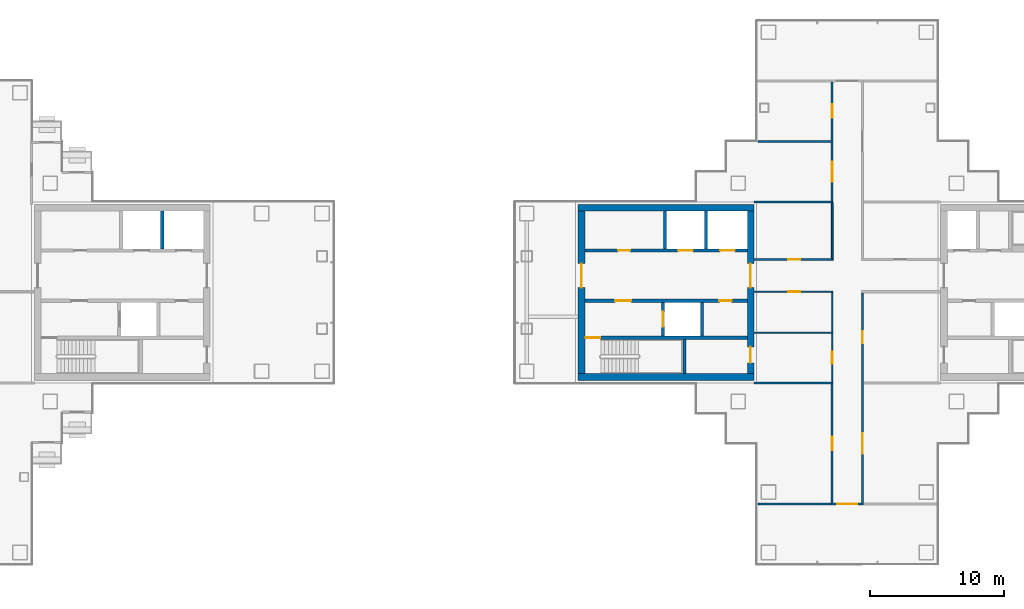
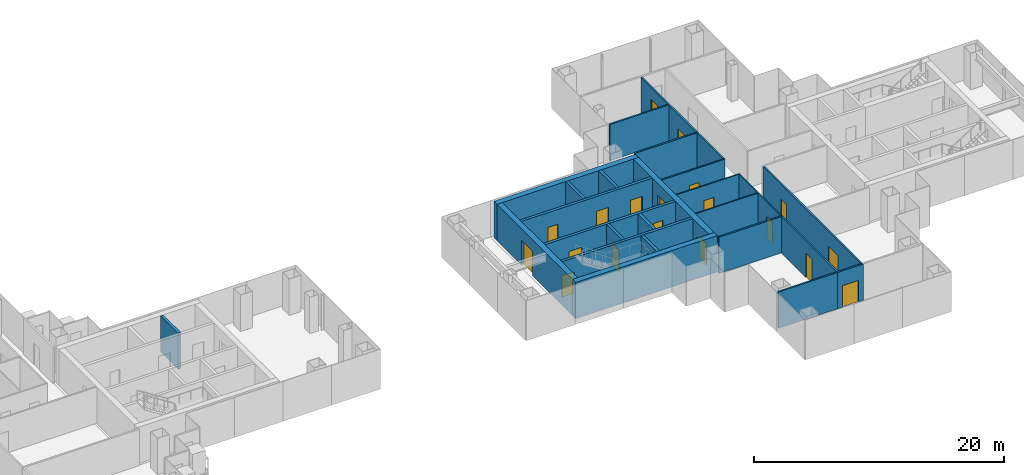
# One storey, part 11 of 16: 26 walls, 19 doors, 19 openings.
"""IFC4 building model written with IfcOpenShell, lengths in metres."""

import ifcopenshell
import ifcopenshell.guid

model = None  # the IFC model being written
_history = None  # IfcOwnerHistory: only IFC2X3 demands one
_inside = {}  # id of a spatial element -> (the spatial element, [elements in it])
_under = {}  # id of a project, library or spatial element -> (it, [spatial elements below it])
_declared = {}  # id of a project -> (the project, [libraries it declares])
_typed = {}  # id of a type object -> (the type object, [elements of that type])
_made_of = {}  # id of a material, layer set ... -> (it, [elements and type objects made of it])


def new_model(schema):
    """Start an empty IFC model of exactly this schema.

    Asked for "IFC4X3", IfcOpenShell would pick the latest addendum, in which some entities
    have other attributes; the version numbers below select the first issue.
    IFC2X3 requires an IfcOwnerHistory on every rooted entity: one is made here for all.
    """
    global model, _history
    if schema == "IFC4X3":
        model = ifcopenshell.file(schema_version=(4, 3, 0, 0))
    else:
        model = ifcopenshell.file(schema=schema)
    _inside.clear()
    _under.clear()
    _declared.clear()
    _typed.clear()
    _made_of.clear()
    _history = None
    if model.schema == "IFC2X3":
        org = make("IfcOrganization", Name="unknown")
        user = make(
            "IfcPersonAndOrganization",
            ThePerson=make("IfcPerson", FamilyName="unknown"),
            TheOrganization=org,
        )
        app = make(
            "IfcApplication",
            ApplicationDeveloper=org,
            Version="unknown",
            ApplicationFullName="unknown",
            ApplicationIdentifier="unknown",
        )
        _history = make(
            "IfcOwnerHistory",
            OwningUser=user,
            OwningApplication=app,
            ChangeAction="ADDED",
            CreationDate=0,
        )
    return model


def make(cls, **values):
    """One entity of the class cls with the attributes given. An attribute that is None is left unset."""
    return model.create_entity(
        cls, **{name: value for name, value in values.items() if value is not None}
    )


def rooted(cls, **values):
    """An entity with a GlobalId (a new one), such as an element, a storey or a relation."""
    return make(cls, GlobalId=ifcopenshell.guid.new(), OwnerHistory=_history, **values)


def si_unit(unit_type, name, prefix=None):
    """IfcSIUnit, for example si_unit("LENGTHUNIT", "METRE", prefix="MILLI")."""
    return make("IfcSIUnit", UnitType=unit_type, Prefix=prefix, Name=name)


def assignment(units):
    """IfcUnitAssignment: the units of a project."""
    return None if units is None else make("IfcUnitAssignment", Units=units)


def point(xyz):
    """IfcCartesianPoint."""
    return None if xyz is None else make("IfcCartesianPoint", Coordinates=xyz)


def direction(xyz):
    """IfcDirection."""
    return None if xyz is None else make("IfcDirection", DirectionRatios=xyz)


def frame(location, z_axis=None, x_axis=None):
    """IfcAxis2Placement3D, a coordinate frame: its origin and axes. An axis left out is left unset."""
    return make(
        "IfcAxis2Placement3D",
        Location=point(location),
        Axis=direction(z_axis),
        RefDirection=direction(x_axis),
    )


def frame_2d(location, x_axis=None):
    """IfcAxis2Placement2D, a coordinate frame in the plane: its origin and x axis."""
    return make(
        "IfcAxis2Placement2D", Location=point(location), RefDirection=direction(x_axis)
    )


def origin():
    """The frame at (0, 0, 0) with its axes left unset."""
    return frame((0.0, 0.0, 0.0))


def place(relative_to, where):
    """IfcLocalPlacement: puts the frame where relative to a parent placement (None: the world)."""
    return make(
        "IfcLocalPlacement", PlacementRelTo=relative_to, RelativePlacement=where
    )


def context(
    kind, dimensions, precision=None, world=None, true_north=None, identifier=None
):
    """IfcGeometricRepresentationContext, for example the 3D "Model" context."""
    return make(
        "IfcGeometricRepresentationContext",
        ContextIdentifier=identifier,
        ContextType=kind,
        CoordinateSpaceDimension=dimensions,
        Precision=precision,
        WorldCoordinateSystem=world,
        TrueNorth=true_north,
    )


def subcontext(parent, identifier, kind, view, scale=None):
    """IfcGeometricRepresentationSubContext, for example "Body" below "Model"."""
    return make(
        "IfcGeometricRepresentationSubContext",
        ContextIdentifier=identifier,
        ContextType=kind,
        ParentContext=parent,
        TargetScale=scale,
        TargetView=view,
    )


def project(units=None, contexts=None):
    """IfcProject with its units and contexts."""
    return rooted(
        "IfcProject",
        Name="project",
        RepresentationContexts=contexts,
        UnitsInContext=assignment(units),
    )


def spatial(cls, under=None, at=None, **own):
    """A site, building, storey or space (cls), placed at a placement, below another one or the project."""
    s = rooted(cls, ObjectPlacement=at, **own)
    if under is not None:
        _under.setdefault(under.id(), (under, []))[1].append(s)
    return s


def profile(cls, at=None, kind="AREA", **sizes):
    """A parametric profile (cls). Its sizes go by their IFC names, for example OverallWidth=200.0."""
    return make(cls, ProfileType=kind, Position=at, **sizes)


def rectangle(**sizes):
    """IfcRectangleProfileDef."""
    return profile("IfcRectangleProfileDef", **sizes)


def extrude(swept, where, along, depth):
    """IfcExtrudedAreaSolid: the profile swept, set in the frame where, extruded along a direction by depth."""
    return make(
        "IfcExtrudedAreaSolid",
        SweptArea=swept,
        Position=where,
        ExtrudedDirection=direction(along),
        Depth=depth,
    )


def shape(context_of_items, identifier, shape_type, items):
    """IfcShapeRepresentation: the items that make up one representation, for example the "Body"."""
    return make(
        "IfcShapeRepresentation",
        ContextOfItems=context_of_items,
        RepresentationIdentifier=identifier,
        RepresentationType=shape_type,
        Items=items,
    )


def material(Name=None, Category=None):
    """IfcMaterial."""
    return make("IfcMaterial", Name=Name, Category=Category)


def layer(
    of_material, thickness, ventilated=None, Name=None, Category=None, Priority=None
):
    """IfcMaterialLayer: one layer of a wall or slab, of a material (None: an air gap)."""
    return make(
        "IfcMaterialLayer",
        Material=of_material,
        LayerThickness=thickness,
        IsVentilated=ventilated,
        Name=Name,
        Category=Category,
        Priority=Priority,
    )


def layer_set(layers, Name=None):
    """IfcMaterialLayerSet."""
    return make("IfcMaterialLayerSet", MaterialLayers=layers, LayerSetName=Name)


def made_of(thing, what):
    """Note that an element or type object is made of a material, layer set ...; save() writes the relation."""
    if what is not None:
        _made_of.setdefault(what.id(), (what, []))[1].append(thing)
    return thing


def type_object(cls, material=None, **own):
    """A type object (cls), such as IfcWallType, which elements share."""
    return made_of(rooted(cls, **own), material)


def element(
    cls,
    number,
    at=None,
    inside=None,
    cuts=None,
    type_object=None,
    material=None,
    context=None,
    identifier="Body",
    shape_type=None,
    held_by="IfcProductDefinitionShape",
    body=None,
    shapes=None,
    **own,
):
    """One element of the class cls, such as IfcWall. Its Tag is "e" and its number.

    at: its placement. inside: the storey or other place that contains it. cuts: it is an
    opening in that element (IfcRelVoidsElement). A single representation is given by context,
    identifier, shape_type and body (its items); several are given by shapes. held_by: the class
    of the entity that holds the representations. save() writes the other relations.
    """
    e = rooted(cls, Tag="e%d" % number, ObjectPlacement=at, **own)
    if body is not None:
        shapes = [shape(context, identifier, shape_type, body)]
    if shapes is not None:
        e.Representation = make(held_by, Representations=shapes)
    if inside is not None:
        _inside.setdefault(inside.id(), (inside, []))[1].append(e)
    if cuts is not None:
        rooted(
            "IfcRelVoidsElement", RelatingBuildingElement=cuts, RelatedOpeningElement=e
        )
    if type_object is not None:
        _typed.setdefault(type_object.id(), (type_object, []))[1].append(e)
    return made_of(e, material)


def fill(opening, filler):
    """IfcRelFillsElement: the door or window that sits in an opening."""
    return rooted(
        "IfcRelFillsElement",
        RelatingOpeningElement=opening,
        RelatedBuildingElement=filler,
    )


def aggregate(whole, parts):
    """IfcRelAggregates: a whole, such as a stair, and the parts it consists of."""
    return rooted("IfcRelAggregates", RelatingObject=whole, RelatedObjects=parts)


def save(model, path):
    """Write the relations noted so far, then the file.

    IfcRelAggregates (storeys below a building ...), IfcRelContainedInSpatialStructure (elements
    in a storey), IfcRelDefinesByType, IfcRelAssociatesMaterial and IfcRelDeclares: one each for
    every whole, place, type object, material and project.
    """
    for whole, parts in _under.values():
        aggregate(whole, parts)
    for where, things in _inside.values():
        rooted(
            "IfcRelContainedInSpatialStructure",
            RelatedElements=things,
            RelatingStructure=where,
        )
    for kind, things in _typed.values():
        rooted("IfcRelDefinesByType", RelatedObjects=things, RelatingType=kind)
    for what, things in _made_of.values():
        rooted("IfcRelAssociatesMaterial", RelatedObjects=things, RelatingMaterial=what)
    for by, libraries in _declared.values():
        rooted("IfcRelDeclares", RelatingContext=by, RelatedDefinitions=libraries)
    model.write(path)


model = new_model("IFC4")

# Units and contexts
model_context = context("Model", 3, precision=1e-05, world=origin(), true_north=direction((0.0, 1.0)))
body_context = subcontext(model_context, "Body", "Model", "MODEL_VIEW")
ifc_project = project(units=[si_unit("LENGTHUNIT", "METRE"), si_unit("AREAUNIT", "SQUARE_METRE"), si_unit("VOLUMEUNIT", "CUBIC_METRE"), si_unit("PLANEANGLEUNIT", "RADIAN"), si_unit("MASSUNIT", "GRAM", prefix="KILO")], contexts=[model_context])

# Site, building, storey
site_placement = place(None, origin())
site = spatial("IfcSite", under=ifc_project, at=site_placement, CompositionType="ELEMENT")
building_placement = place(site_placement, origin())
building = spatial("IfcBuilding", under=site, at=building_placement, Name="Shamsa Quay Exchange Towers", CompositionType="ELEMENT")
storey_placement = place(building_placement, frame((0.0, 0.0, 154.5)))
storey = spatial("IfcBuildingStorey", under=building, at=storey_placement, Name="L36", CompositionType="ELEMENT", Elevation=154.5)

# Walls
ifc_material_1 = material(Name="Concrete C60/75", Category="concrete")
ifc_layer_1 = layer(ifc_material_1, 0.5)
ifc_layer_set_1 = layer_set([ifc_layer_1], Name="CORE WALL 500 C60/75")
wall_type_1 = type_object("IfcWallType", Name="CORE WALL 500 C60/75", PredefinedType="SHEAR", material=ifc_layer_set_1)
for number, where, name in (
    (1, (13.699951171875, -6.300048828125, 0.0), "Core wall T2A-R17-PS"),
    (2, (13.699951171875, 6.300048828125, 0.0), "Core wall T2A-R17-PN"),
):
    element("IfcWall", number, at=place(storey_placement, frame(where)), inside=storey, type_object=wall_type_1, Name=name, PredefinedType="SHEAR", context=body_context, shape_type="SweptSolid", body=[
        extrude(rectangle(XDim=13.10009765625, YDim=0.5, at=frame_2d((6.550048828125, 0.0))), origin(), (0.0, 0.0, 1.0), 3.550048828125),
    ])

# Wall, opening, door
wall_1_placement = place(storey_placement, frame((13.949951171875, 6.050048828125, 0.0), z_axis=(0.0, 0.0, 1.0), x_axis=(0.0, -1.0, 0.0)))
wall_1 = element("IfcWall", 3, at=wall_1_placement, inside=storey, type_object=wall_type_1, Name="Core wall T2A-R17-PF", PredefinedType="SHEAR", context=body_context, shape_type="SweptSolid", body=[
    extrude(rectangle(XDim=12.10009765625, YDim=0.5, at=frame_2d((6.050048828125, 0.0))), origin(), (0.0, 0.0, 1.0), 3.550048828125),
])
opening_1_placement = place(wall_1_placement, frame((3.89990234375, 0.0, 0.0)))
opening_1 = element("IfcOpeningElement", 4, at=opening_1_placement, cuts=wall_1, Name="Opening T2A-R17-LBD01", PredefinedType="OPENING", context=body_context, shape_type="SweptSolid", body=[
    extrude(rectangle(XDim=1.800048828125, YDim=2.39990234375, at=frame_2d((0.89990234375, 1.199951171875))), frame((0.0, 0.260009765625, 0.0), z_axis=(0.0, -1.0, 0.0), x_axis=(1.0, 0.0, 0.0)), (0.0, 0.0, 1.0), 0.52001953125),
])
ifc_material_2 = material(Name="Steel, fire rated", Category="steel")
door_type_1 = type_object("IfcDoorType", Name="LIFT LOBBY DOOR PAIR 1800", OperationType="DOUBLE_DOOR_SINGLE_SWING", PredefinedType="DOOR", material=ifc_material_2)
door_1_placement = place(opening_1_placement, origin())
door_1 = element("IfcDoor", 5, at=door_1_placement, inside=storey, type_object=door_type_1, Name="T2A-R17-LBD01", OperationType="DOUBLE_DOOR_SINGLE_SWING", OverallHeight=2.39990234375, OverallWidth=1.800048828125, PredefinedType="DOOR", context=body_context, shape_type="SweptSolid", body=[
    extrude(rectangle(XDim=1.800048828125, YDim=2.39990234375, at=frame_2d((0.89990234375, 1.199951171875))), frame((0.0, 0.02490234375, 0.0), z_axis=(0.0, -1.0, 0.0), x_axis=(1.0, 0.0, 0.0)), (0.0, 0.0, 1.0), 0.050048828125),
])
fill(opening_1, door_1)

# Wall, openings, doors
wall_2_placement = place(storey_placement, frame((26.550048828125, 6.050048828125, 0.0), z_axis=(0.0, 0.0, 1.0), x_axis=(0.0, -1.0, 0.0)))
wall_2 = element("IfcWall", 6, at=wall_2_placement, inside=storey, type_object=wall_type_1, Name="Core wall T2A-R17-PB", PredefinedType="SHEAR", context=body_context, shape_type="SweptSolid", body=[
    extrude(rectangle(XDim=12.10009765625, YDim=0.5, at=frame_2d((6.050048828125, 0.0))), origin(), (0.0, 0.0, 1.0), 3.550048828125),
])
opening_2_placement = place(wall_2_placement, frame((10.10009765625, 0.0, 0.0)))
opening_2 = element("IfcOpeningElement", 7, at=opening_2_placement, cuts=wall_2, Name="Opening T2A-R17-RD02", PredefinedType="OPENING", context=body_context, shape_type="SweptSolid", body=[
    extrude(rectangle(XDim=1.199951171875, YDim=2.10009765625, at=frame_2d((0.60009765625, 1.050048828125))), frame((0.0, 0.260009765625, 0.0), z_axis=(0.0, -1.0, 0.0), x_axis=(1.0, 0.0, 0.0)), (0.0, 0.0, 1.0), 0.52001953125),
])
opening_3_placement = place(wall_2_placement, frame((3.89990234375, 0.0, 0.0)))
opening_3 = element("IfcOpeningElement", 8, at=opening_3_placement, cuts=wall_2, Name="Opening T2A-R17-LBD03", PredefinedType="OPENING", context=body_context, shape_type="SweptSolid", body=[
    extrude(rectangle(XDim=1.800048828125, YDim=2.39990234375, at=frame_2d((0.89990234375, 1.199951171875))), frame((0.0, 0.260009765625, 0.0), z_axis=(0.0, -1.0, 0.0), x_axis=(1.0, 0.0, 0.0)), (0.0, 0.0, 1.0), 0.52001953125),
])
door_2_placement = place(opening_3_placement, origin())
door_2 = element("IfcDoor", 9, at=door_2_placement, inside=storey, type_object=door_type_1, Name="T2A-R17-LBD03", OperationType="DOUBLE_DOOR_SINGLE_SWING", OverallHeight=2.39990234375, OverallWidth=1.800048828125, PredefinedType="DOOR", context=body_context, shape_type="SweptSolid", body=[
    extrude(rectangle(XDim=1.800048828125, YDim=2.39990234375, at=frame_2d((0.89990234375, 1.199951171875))), frame((0.0, 0.02490234375, 0.0), z_axis=(0.0, -1.0, 0.0), x_axis=(1.0, 0.0, 0.0)), (0.0, 0.0, 1.0), 0.050048828125),
])
fill(opening_3, door_2)
door_type_2 = type_object("IfcDoorType", Name="RISER ACCESS DOOR 1200", OperationType="SINGLE_SWING_LEFT", PredefinedType="DOOR", material=ifc_material_2)
door_3_placement = place(opening_2_placement, origin())
door_3 = element("IfcDoor", 10, at=door_3_placement, inside=storey, type_object=door_type_2, Name="T2A-R17-RD02", OperationType="SINGLE_SWING_RIGHT", OverallHeight=2.10009765625, OverallWidth=1.199951171875, PredefinedType="DOOR", context=body_context, shape_type="SweptSolid", body=[
    extrude(rectangle(XDim=1.199951171875, YDim=2.10009765625, at=frame_2d((0.60009765625, 1.050048828125))), frame((0.0, 0.02490234375, 0.0), z_axis=(0.0, -1.0, 0.0), x_axis=(1.0, 0.0, 0.0)), (0.0, 0.0, 1.0), 0.050048828125),
])
fill(opening_2, door_3)

# Wall
ifc_material_3 = material(Name="Laminated fire-resisting glass in a metal frame", Category="glass")
ifc_layer_2 = layer(ifc_material_3, 0.125)
ifc_layer_set_2 = layer_set([ifc_layer_2], Name="Glazed partition 125 mm EI 60")
wall_type_2 = type_object("IfcWallType", Name="Glazed partition 125 mm EI 60", PredefinedType="PARTITIONING", material=ifc_layer_set_2)
wall_3_placement = place(storey_placement, frame((32.625, 2.5126953125, 0.0), z_axis=(0.0, 0.0, 1.0), x_axis=(0.0, 1.0, 0.0)))
element("IfcWall", 11, at=wall_3_placement, inside=storey, type_object=wall_type_2, Name="Partition T2-R17-W01", PredefinedType="PARTITIONING", context=body_context, shape_type="SweptSolid", body=[
    extrude(rectangle(XDim=4.162353515625, YDim=0.125, at=frame_2d((2.0810546875, 0.0))), origin(), (0.0, 0.0, 1.0), 3.550048828125),
])

# Wall, opening, door
wall_4_placement = place(storey_placement, frame((26.800048828125, 2.4501953125, 0.0)))
wall_4 = element("IfcWall", 12, at=wall_4_placement, inside=storey, type_object=wall_type_2, Name="Partition T2-R17-W02", PredefinedType="PARTITIONING", context=body_context, shape_type="SweptSolid", body=[
    extrude(rectangle(XDim=5.887451171875, YDim=0.125, at=frame_2d((2.94384765625, 0.0))), origin(), (0.0, 0.0, 1.0), 3.550048828125),
])
opening_4_placement = place(wall_4_placement, frame((2.5625, 0.0, 0.0)))
opening_4 = element("IfcOpeningElement", 13, at=opening_4_placement, cuts=wall_4, Name="Opening T2-R17-D09", PredefinedType="OPENING", context=body_context, shape_type="SweptSolid", body=[
    extrude(rectangle(XDim=0.89990234375, YDim=2.10009765625, at=frame_2d((0.449951171875, 1.050048828125))), frame((0.0, 0.072509765625, 0.0), z_axis=(0.0, -1.0, 0.0), x_axis=(1.0, 0.0, 0.0)), (0.0, 0.0, 1.0), 0.14501953125),
])
ifc_material_4 = material(Name="Timber door leaf in a metal frame", Category="wood")
door_type_3 = type_object("IfcDoorType", Name="Door 900x2100 FD30S", OperationType="NOTDEFINED", PredefinedType="DOOR", material=ifc_material_4)
door_4_placement = place(opening_4_placement, origin())
door_4 = element("IfcDoor", 14, at=door_4_placement, inside=storey, type_object=door_type_3, Name="Door T2-R17-D09", OperationType="SINGLE_SWING_LEFT", OverallHeight=2.10009765625, OverallWidth=0.89990234375, PredefinedType="DOOR", context=body_context, shape_type="SweptSolid", body=[
    extrude(rectangle(XDim=0.89990234375, YDim=2.10009765625, at=frame_2d((0.449951171875, 1.050048828125))), frame((0.0, 0.02490234375, 0.0), z_axis=(0.0, -1.0, 0.0), x_axis=(1.0, 0.0, 0.0)), (0.0, 0.0, 1.0), 0.050048828125),
])
fill(opening_4, door_4)

ifc_material_5 = material(Name="Gypsum board partition on metal studs")
ifc_layer_3 = layer(ifc_material_5, 0.10009765625)
ifc_layer_set_3 = layer_set([ifc_layer_3], Name="Partition 100 mm NOT RATED")
wall_type_3 = type_object("IfcWallType", Name="Partition 100 mm NOT RATED", PredefinedType="PARTITIONING", material=ifc_layer_set_3)
wall_5_placement = place(storey_placement, frame((32.625, -6.675048828125, 0.0), z_axis=(0.0, 0.0, 1.0), x_axis=(0.0, 1.0, 0.0)))
wall_5 = element("IfcWall", 15, at=wall_5_placement, inside=storey, type_object=wall_type_3, Name="Partition T2-R17-W03", PredefinedType="PARTITIONING", context=body_context, shape_type="SweptSolid", body=[
    extrude(rectangle(XDim=6.6748046875, YDim=0.10009765625, at=frame_2d((3.33740234375, 0.0))), origin(), (0.0, 0.0, 1.0), 3.550048828125),
])
opening_5_placement = place(wall_5_placement, frame((1.35009765625, 0.0, 0.0)))
opening_5 = element("IfcOpeningElement", 16, at=opening_5_placement, cuts=wall_5, Name="Opening T2-R17-D08", PredefinedType="OPENING", context=body_context, shape_type="SweptSolid", body=[
    extrude(rectangle(XDim=0.89990234375, YDim=2.10009765625, at=frame_2d((0.449951171875, 1.050048828125))), frame((0.0, 0.06005859375, 0.0), z_axis=(0.0, -1.0, 0.0), x_axis=(1.0, 0.0, 0.0)), (0.0, 0.0, 1.0), 0.1201171875),
])
door_type_4 = type_object("IfcDoorType", Name="Door 900x2100 NOT RATED", OperationType="NOTDEFINED", PredefinedType="DOOR", material=ifc_material_4)
door_5_placement = place(opening_5_placement, origin())
door_5 = element("IfcDoor", 17, at=door_5_placement, inside=storey, type_object=door_type_4, Name="Door T2-R17-D08", OperationType="SINGLE_SWING_LEFT", OverallHeight=2.10009765625, OverallWidth=0.89990234375, PredefinedType="DOOR", context=body_context, shape_type="SweptSolid", body=[
    extrude(rectangle(XDim=0.89990234375, YDim=2.10009765625, at=frame_2d((0.449951171875, 1.050048828125))), frame((0.0, 0.02490234375, 0.0), z_axis=(0.0, -1.0, 0.0), x_axis=(1.0, 0.0, 0.0)), (0.0, 0.0, 1.0), 0.050048828125),
])
fill(opening_5, door_5)

wall_6_placement = place(storey_placement, frame((32.675048828125, 0.0498046875, 0.0), z_axis=(0.0, 0.0, 1.0), x_axis=(-1.0, 0.0, 0.0)))
wall_6 = element("IfcWall", 18, at=wall_6_placement, inside=storey, type_object=wall_type_3, Name="Partition T2-R17-W04", PredefinedType="PARTITIONING", context=body_context, shape_type="SweptSolid", body=[
    extrude(rectangle(XDim=5.875, YDim=0.10009765625, at=frame_2d((2.9375, 0.0))), origin(), (0.0, 0.0, 1.0), 3.550048828125),
])
opening_6_placement = place(wall_6_placement, frame((2.41259765625, 0.0, 0.0)))
opening_6 = element("IfcOpeningElement", 19, at=opening_6_placement, cuts=wall_6, Name="Opening T2-R17-D12", PredefinedType="OPENING", context=body_context, shape_type="SweptSolid", body=[
    extrude(rectangle(XDim=0.89990234375, YDim=2.10009765625, at=frame_2d((0.449951171875, 1.050048828125))), frame((0.0, 0.06005859375, 0.0), z_axis=(0.0, -1.0, 0.0), x_axis=(1.0, 0.0, 0.0)), (0.0, 0.0, 1.0), 0.1201171875),
])
door_6_placement = place(opening_6_placement, origin())
door_6 = element("IfcDoor", 20, at=door_6_placement, inside=storey, type_object=door_type_4, Name="Door T2-R17-D12", OperationType="SINGLE_SWING_RIGHT", OverallHeight=2.10009765625, OverallWidth=0.89990234375, PredefinedType="DOOR", context=body_context, shape_type="SweptSolid", body=[
    extrude(rectangle(XDim=0.89990234375, YDim=2.10009765625, at=frame_2d((0.449951171875, 1.050048828125))), frame((0.0, 0.02490234375, 0.0), z_axis=(0.0, -1.0, 0.0), x_axis=(1.0, 0.0, 0.0)), (0.0, 0.0, 1.0), 0.050048828125),
])
fill(opening_6, door_6)

# Wall
wall_7_placement = place(storey_placement, frame((32.574951171875, -3.0, 0.0), z_axis=(0.0, 0.0, 1.0), x_axis=(-1.0, 0.0, 0.0)))
element("IfcWall", 21, at=wall_7_placement, inside=storey, type_object=wall_type_3, Name="Partition T2-R17-W15", PredefinedType="PARTITIONING", context=body_context, shape_type="SweptSolid", body=[
    extrude(rectangle(XDim=5.77490234375, YDim=0.10009765625, at=frame_2d((2.887451171875, 0.0))), origin(), (0.0, 0.0, 1.0), 3.550048828125),
])

# Wall, openings, doors
ifc_layer_4 = layer(ifc_material_5, 0.14990234375)
ifc_layer_set_4 = layer_set([ifc_layer_4], Name="Partition 150 mm EI 60")
wall_type_4 = type_object("IfcWallType", Name="Partition 150 mm EI 60", PredefinedType="PARTITIONING", material=ifc_layer_set_4)
wall_8_placement = place(storey_placement, frame((34.875, -0.025146484375, 0.0), z_axis=(0.0, 0.0, 1.0), x_axis=(0.0, -1.0, 0.0)))
wall_8 = element("IfcWall", 22, at=wall_8_placement, inside=storey, type_object=wall_type_4, Name="Partition T2-R17-W06", PredefinedType="PARTITIONING", context=body_context, shape_type="SweptSolid", body=[
    extrude(rectangle(XDim=15.64990234375, YDim=0.14990234375, at=frame_2d((7.824951171875, 0.0))), origin(), (0.0, 0.0, 1.0), 3.550048828125),
])
opening_7_placement = place(wall_8_placement, frame((10.474853515625, 0.0, 0.0)))
opening_7 = element("IfcOpeningElement", 23, at=opening_7_placement, cuts=wall_8, Name="Opening T2-R17-D02", PredefinedType="OPENING", context=body_context, shape_type="SweptSolid", body=[
    extrude(rectangle(XDim=1.5, YDim=2.10009765625, at=frame_2d((0.75, 1.050048828125))), frame((0.0, 0.0849609375, 0.0), z_axis=(0.0, -1.0, 0.0), x_axis=(1.0, 0.0, 0.0)), (0.0, 0.0, 1.0), 0.169921875),
])
opening_8_placement = place(wall_8_placement, frame((2.875, 0.0, 0.0)))
opening_8 = element("IfcOpeningElement", 24, at=opening_8_placement, cuts=wall_8, Name="Opening T2-R17-D03", PredefinedType="OPENING", context=body_context, shape_type="SweptSolid", body=[
    extrude(rectangle(XDim=0.89990234375, YDim=2.10009765625, at=frame_2d((0.449951171875, 1.050048828125))), frame((0.0, 0.0849609375, 0.0), z_axis=(0.0, -1.0, 0.0), x_axis=(1.0, 0.0, 0.0)), (0.0, 0.0, 1.0), 0.169921875),
])
door_type_5 = type_object("IfcDoorType", Name="Door 1500x2100 FD30S pair", OperationType="NOTDEFINED", PredefinedType="DOOR", material=ifc_material_4)
door_7_placement = place(opening_7_placement, origin())
door_7 = element("IfcDoor", 25, at=door_7_placement, inside=storey, type_object=door_type_5, Name="Door T2-R17-D02", OperationType="DOUBLE_DOOR_SINGLE_SWING", OverallHeight=2.10009765625, OverallWidth=1.5, PredefinedType="DOOR", context=body_context, shape_type="SweptSolid", body=[
    extrude(rectangle(XDim=1.5, YDim=2.10009765625, at=frame_2d((0.75, 1.050048828125))), frame((0.0, 0.02490234375, 0.0), z_axis=(0.0, -1.0, 0.0), x_axis=(1.0, 0.0, 0.0)), (0.0, 0.0, 1.0), 0.050048828125),
])
fill(opening_7, door_7)
door_8_placement = place(opening_8_placement, origin())
door_8 = element("IfcDoor", 26, at=door_8_placement, inside=storey, type_object=door_type_3, Name="Door T2-R17-D03", OperationType="SINGLE_SWING_RIGHT", OverallHeight=2.10009765625, OverallWidth=0.89990234375, PredefinedType="DOOR", context=body_context, shape_type="SweptSolid", body=[
    extrude(rectangle(XDim=0.89990234375, YDim=2.10009765625, at=frame_2d((0.449951171875, 1.050048828125))), frame((0.0, 0.02490234375, 0.0), z_axis=(0.0, -1.0, 0.0), x_axis=(1.0, 0.0, 0.0)), (0.0, 0.0, 1.0), 0.050048828125),
])
fill(opening_8, door_8)

wall_9_placement = place(storey_placement, frame((32.625, 6.824951171875, 0.0), z_axis=(0.0, 0.0, 1.0), x_axis=(0.0, 1.0, 0.0)))
wall_9 = element("IfcWall", 27, at=wall_9_placement, inside=storey, type_object=wall_type_4, Name="Partition T2-R17-W09", PredefinedType="PARTITIONING", context=body_context, shape_type="SweptSolid", body=[
    extrude(rectangle(XDim=8.85009765625, YDim=0.14990234375, at=frame_2d((4.425048828125, 0.0))), origin(), (0.0, 0.0, 1.0), 3.550048828125),
])
opening_9_placement = place(wall_9_placement, frame((6.175048828125, 0.0, 0.0)))
opening_9 = element("IfcOpeningElement", 28, at=opening_9_placement, cuts=wall_9, Name="Opening T2-R17-D10", PredefinedType="OPENING", context=body_context, shape_type="SweptSolid", body=[
    extrude(rectangle(XDim=1.0, YDim=2.39990234375, at=frame_2d((0.5, 1.199951171875))), frame((0.0, 0.0849609375, 0.0), z_axis=(0.0, -1.0, 0.0), x_axis=(1.0, 0.0, 0.0)), (0.0, 0.0, 1.0), 0.169921875),
])
opening_10_placement = place(wall_9_placement, frame((1.425048828125, 0.0, 0.0)))
opening_10 = element("IfcOpeningElement", 29, at=opening_10_placement, cuts=wall_9, Name="Opening T2-R17-D11", PredefinedType="OPENING", context=body_context, shape_type="SweptSolid", body=[
    extrude(rectangle(XDim=1.5, YDim=2.10009765625, at=frame_2d((0.75, 1.050048828125))), frame((0.0, 0.0849609375, 0.0), z_axis=(0.0, -1.0, 0.0), x_axis=(1.0, 0.0, 0.0)), (0.0, 0.0, 1.0), 0.169921875),
])
door_type_6 = type_object("IfcDoorType", Name="Door 1000x2400 FD30S", OperationType="NOTDEFINED", PredefinedType="DOOR", material=ifc_material_4)
door_9_placement = place(opening_9_placement, origin())
door_9 = element("IfcDoor", 30, at=door_9_placement, inside=storey, type_object=door_type_6, Name="Door T2-R17-D10", OperationType="SINGLE_SWING_LEFT", OverallHeight=2.39990234375, OverallWidth=1.0, PredefinedType="DOOR", context=body_context, shape_type="SweptSolid", body=[
    extrude(rectangle(XDim=1.0, YDim=2.39990234375, at=frame_2d((0.5, 1.199951171875))), frame((0.0, 0.02490234375, 0.0), z_axis=(0.0, -1.0, 0.0), x_axis=(1.0, 0.0, 0.0)), (0.0, 0.0, 1.0), 0.050048828125),
])
fill(opening_9, door_9)
door_10_placement = place(opening_10_placement, origin())
door_10 = element("IfcDoor", 31, at=door_10_placement, inside=storey, type_object=door_type_5, Name="Door T2-R17-D11", OperationType="DOUBLE_DOOR_SINGLE_SWING", OverallHeight=2.10009765625, OverallWidth=1.5, PredefinedType="DOOR", context=body_context, shape_type="SweptSolid", body=[
    extrude(rectangle(XDim=1.5, YDim=2.10009765625, at=frame_2d((0.75, 1.050048828125))), frame((0.0, 0.02490234375, 0.0), z_axis=(0.0, -1.0, 0.0), x_axis=(1.0, 0.0, 0.0)), (0.0, 0.0, 1.0), 0.050048828125),
])
fill(opening_10, door_10)

# Wall, opening, door
wall_10_placement = place(storey_placement, frame((32.625, -15.675048828125, 0.0), z_axis=(0.0, 0.0, 1.0), x_axis=(0.0, 1.0, 0.0)))
wall_10 = element("IfcWall", 32, at=wall_10_placement, inside=storey, type_object=wall_type_4, Name="Partition T2-R17-W10", PredefinedType="PARTITIONING", context=body_context, shape_type="SweptSolid", body=[
    extrude(rectangle(XDim=8.85009765625, YDim=0.14990234375, at=frame_2d((4.425048828125, 0.0))), origin(), (0.0, 0.0, 1.0), 3.550048828125),
])
opening_11_placement = place(wall_10_placement, frame((3.925048828125, 0.0, 0.0)))
opening_11 = element("IfcOpeningElement", 33, at=opening_11_placement, cuts=wall_10, Name="Opening T2-R17-D07", PredefinedType="OPENING", context=body_context, shape_type="SweptSolid", body=[
    extrude(rectangle(XDim=1.0, YDim=2.39990234375, at=frame_2d((0.5, 1.199951171875))), frame((0.0, 0.0849609375, 0.0), z_axis=(0.0, -1.0, 0.0), x_axis=(1.0, 0.0, 0.0)), (0.0, 0.0, 1.0), 0.169921875),
])
door_11_placement = place(opening_11_placement, origin())
door_11 = element("IfcDoor", 34, at=door_11_placement, inside=storey, type_object=door_type_6, Name="Door T2-R17-D07", OperationType="SINGLE_SWING_LEFT", OverallHeight=2.39990234375, OverallWidth=1.0, PredefinedType="DOOR", context=body_context, shape_type="SweptSolid", body=[
    extrude(rectangle(XDim=1.0, YDim=2.39990234375, at=frame_2d((0.5, 1.199951171875))), frame((0.0, 0.02490234375, 0.0), z_axis=(0.0, -1.0, 0.0), x_axis=(1.0, 0.0, 0.0)), (0.0, 0.0, 1.0), 0.050048828125),
])
fill(opening_11, door_11)

wall_11_placement = place(storey_placement, frame((34.949951171875, -15.75, 0.0), z_axis=(0.0, 0.0, 1.0), x_axis=(-1.0, 0.0, 0.0)))
wall_11 = element("IfcWall", 35, at=wall_11_placement, inside=storey, type_object=wall_type_4, Name="Partition T2-R17-W12", PredefinedType="PARTITIONING", context=body_context, shape_type="SweptSolid", body=[
    extrude(rectangle(XDim=2.39990234375, YDim=0.14990234375, at=frame_2d((1.199951171875, 0.0))), origin(), (0.0, 0.0, 1.0), 3.550048828125),
])
opening_12_placement = place(wall_11_placement, frame((0.449951171875, 0.0, 0.0)))
opening_12 = element("IfcOpeningElement", 36, at=opening_12_placement, cuts=wall_11, Name="Opening T2-R17-D06", PredefinedType="OPENING", context=body_context, shape_type="SweptSolid", body=[
    extrude(rectangle(XDim=1.5, YDim=2.10009765625, at=frame_2d((0.75, 1.050048828125))), frame((0.0, 0.0849609375, 0.0), z_axis=(0.0, -1.0, 0.0), x_axis=(1.0, 0.0, 0.0)), (0.0, 0.0, 1.0), 0.169921875),
])
door_12_placement = place(opening_12_placement, origin())
door_12 = element("IfcDoor", 37, at=door_12_placement, inside=storey, type_object=door_type_5, Name="Door T2-R17-D06", OperationType="DOUBLE_DOOR_SINGLE_SWING", OverallHeight=2.10009765625, OverallWidth=1.5, PredefinedType="DOOR", context=body_context, shape_type="SweptSolid", body=[
    extrude(rectangle(XDim=1.5, YDim=2.10009765625, at=frame_2d((0.75, 1.050048828125))), frame((0.0, 0.02490234375, 0.0), z_axis=(0.0, -1.0, 0.0), x_axis=(1.0, 0.0, 0.0)), (0.0, 0.0, 1.0), 0.050048828125),
])
fill(opening_12, door_12)

# Walls
wall_12_placement = place(storey_placement, frame((32.699951171875, 6.75, 0.0), z_axis=(0.0, 0.0, 1.0), x_axis=(-1.0, 0.0, 0.0)))
element("IfcWall", 38, at=wall_12_placement, inside=storey, type_object=wall_type_4, Name="Partition T2-R17-W13", PredefinedType="PARTITIONING", context=body_context, shape_type="SweptSolid", body=[
    extrude(rectangle(XDim=5.89990234375, YDim=0.14990234375, at=frame_2d((2.949951171875, 0.0))), origin(), (0.0, 0.0, 1.0), 3.550048828125),
])
wall_13_placement = place(storey_placement, frame((26.800048828125, -6.75, 0.0)))
element("IfcWall", 39, at=wall_13_placement, inside=storey, type_object=wall_type_4, Name="Partition T2-R17-W17", PredefinedType="PARTITIONING", context=body_context, shape_type="SweptSolid", body=[
    extrude(rectangle(XDim=5.89990234375, YDim=0.14990234375, at=frame_2d((2.949951171875, 0.0))), origin(), (0.0, 0.0, 1.0), 3.550048828125),
])
wall_14_placement = place(storey_placement, frame((32.550048828125, 11.25, 0.0), z_axis=(0.0, 0.0, 1.0), x_axis=(-1.0, 0.0, 0.0)))
element("IfcWall", 40, at=wall_14_placement, inside=storey, type_object=wall_type_4, Name="Partition T2-R17-W18", PredefinedType="PARTITIONING", context=body_context, shape_type="SweptSolid", body=[
    extrude(rectangle(XDim=5.455078125, YDim=0.14990234375, at=frame_2d((2.7275390625, 0.0))), origin(), (0.0, 0.0, 1.0), 3.550048828125),
])
wall_15_placement = place(storey_placement, frame((27.094970703125, -15.75, 0.0)))
element("IfcWall", 41, at=wall_15_placement, inside=storey, type_object=wall_type_4, Name="Partition T2-R17-W22", PredefinedType="PARTITIONING", context=body_context, shape_type="SweptSolid", body=[
    extrude(rectangle(XDim=5.60498046875, YDim=0.14990234375, at=frame_2d((2.802490234375, 0.0))), origin(), (0.0, 0.0, 1.0), 3.550048828125),
])
ifc_material_6 = material(Name="Concrete C50/60", Category="concrete")
ifc_layer_5 = layer(ifc_material_6, 0.25)
ifc_layer_set_5 = layer_set([ifc_layer_5], Name="SHAFT WALL 250 C50/60")
wall_type_5 = type_object("IfcWallType", Name="SHAFT WALL 250 C50/60", PredefinedType="SHEAR", material=ifc_layer_set_5)
wall_16_placement = place(storey_placement, frame((-17.27490234375, 3.25, 0.0), z_axis=(0.0, 0.0, 1.0), x_axis=(0.0, 1.0, 0.0)))
element("IfcWall", 42, at=wall_16_placement, inside=storey, type_object=wall_type_5, Name="Shaft wall T1A-R17-D2", PredefinedType="SHEAR", context=body_context, shape_type="SweptSolid", body=[
    extrude(rectangle(XDim=2.800048828125, YDim=0.25, at=frame_2d((1.39990234375, 0.0))), origin(), (0.0, 0.0, 1.0), 3.550048828125),
])

# Wall, opening, door
wall_17_placement = place(storey_placement, frame((26.300048828125, -3.375, 0.0), z_axis=(0.0, 0.0, 1.0), x_axis=(-1.0, 0.0, 0.0)))
wall_17 = element("IfcWall", 43, at=wall_17_placement, inside=storey, type_object=wall_type_5, Name="Shaft wall T2A-R17-STL", PredefinedType="SHEAR", context=body_context, shape_type="SweptSolid", body=[
    extrude(rectangle(XDim=12.10009765625, YDim=0.25, at=frame_2d((6.050048828125, 0.0))), origin(), (0.0, 0.0, 1.0), 3.550048828125),
])
opening_13_placement = place(wall_17_placement, frame((10.949951171875, 0.0, 0.0)))
opening_13 = element("IfcOpeningElement", 44, at=opening_13_placement, cuts=wall_17, Name="Opening T2A-R17-SD04", PredefinedType="OPENING", context=body_context, shape_type="SweptSolid", body=[
    extrude(rectangle(XDim=1.10009765625, YDim=2.10009765625, at=frame_2d((0.550048828125, 1.050048828125))), frame((0.0, 0.135009765625, 0.0), z_axis=(0.0, -1.0, 0.0), x_axis=(1.0, 0.0, 0.0)), (0.0, 0.0, 1.0), 0.27001953125),
])
door_type_7 = type_object("IfcDoorType", Name="STAIR DOOR 1100", OperationType="SINGLE_SWING_LEFT", PredefinedType="DOOR", material=ifc_material_2)
door_13_placement = place(opening_13_placement, origin())
door_13 = element("IfcDoor", 45, at=door_13_placement, inside=storey, type_object=door_type_7, Name="T2A-R17-SD04", OperationType="SINGLE_SWING_RIGHT", OverallHeight=2.10009765625, OverallWidth=1.10009765625, PredefinedType="DOOR", context=body_context, shape_type="SweptSolid", body=[
    extrude(rectangle(XDim=1.10009765625, YDim=2.10009765625, at=frame_2d((0.550048828125, 1.050048828125))), frame((0.0, 0.02490234375, 0.0), z_axis=(0.0, -1.0, 0.0), x_axis=(1.0, 0.0, 0.0)), (0.0, 0.0, 1.0), 0.050048828125),
])
fill(opening_13, door_13)

# Wall
wall_18_placement = place(storey_placement, frame((21.625, -6.050048828125, 0.0), z_axis=(0.0, 0.0, 1.0), x_axis=(0.0, 1.0, 0.0)))
element("IfcWall", 46, at=wall_18_placement, inside=storey, type_object=wall_type_5, Name="Shaft wall T2A-R17-STF", PredefinedType="SHEAR", context=body_context, shape_type="SweptSolid", body=[
    extrude(rectangle(XDim=2.550048828125, YDim=0.25, at=frame_2d((1.27490234375, 0.0))), origin(), (0.0, 0.0, 1.0), 3.550048828125),
])

# Wall, openings, doors
wall_19_placement = place(storey_placement, frame((26.300048828125, -0.625, 0.0), z_axis=(0.0, 0.0, 1.0), x_axis=(-1.0, 0.0, 0.0)))
wall_19 = element("IfcWall", 47, at=wall_19_placement, inside=storey, type_object=wall_type_5, Name="Shaft wall T2A-R17-B", PredefinedType="SHEAR", context=body_context, shape_type="SweptSolid", body=[
    extrude(rectangle(XDim=12.10009765625, YDim=0.25, at=frame_2d((6.050048828125, 0.0))), origin(), (0.0, 0.0, 1.0), 3.550048828125),
])
opening_14_placement = place(wall_19_placement, frame((8.64990234375, 0.0, 0.0)))
opening_14 = element("IfcOpeningElement", 48, at=opening_14_placement, cuts=wall_19, Name="Opening T2A-R17-FD05", PredefinedType="OPENING", context=body_context, shape_type="SweptSolid", body=[
    extrude(rectangle(XDim=1.199951171875, YDim=2.10009765625, at=frame_2d((0.60009765625, 1.050048828125))), frame((0.0, 0.135009765625, 0.0), z_axis=(0.0, -1.0, 0.0), x_axis=(1.0, 0.0, 0.0)), (0.0, 0.0, 1.0), 0.27001953125),
])
opening_15_placement = place(wall_19_placement, frame((1.175048828125, 0.0, 0.0)))
opening_15 = element("IfcOpeningElement", 49, at=opening_15_placement, cuts=wall_19, Name="Opening T2A-R17-SV06", PredefinedType="OPENING", context=body_context, shape_type="SweptSolid", body=[
    extrude(rectangle(XDim=0.89990234375, YDim=2.10009765625, at=frame_2d((0.449951171875, 1.050048828125))), frame((0.0, 0.135009765625, 0.0), z_axis=(0.0, -1.0, 0.0), x_axis=(1.0, 0.0, 0.0)), (0.0, 0.0, 1.0), 0.27001953125),
])
door_type_8 = type_object("IfcDoorType", Name="FIRE SERVICE LOBBY DOOR 1200", OperationType="SINGLE_SWING_LEFT", PredefinedType="DOOR", material=ifc_material_2)
door_14_placement = place(opening_14_placement, origin())
door_14 = element("IfcDoor", 50, at=door_14_placement, inside=storey, type_object=door_type_8, Name="T2A-R17-FD05", OperationType="SINGLE_SWING_RIGHT", OverallHeight=2.10009765625, OverallWidth=1.199951171875, PredefinedType="DOOR", context=body_context, shape_type="SweptSolid", body=[
    extrude(rectangle(XDim=1.199951171875, YDim=2.10009765625, at=frame_2d((0.60009765625, 1.050048828125))), frame((0.0, 0.02490234375, 0.0), z_axis=(0.0, -1.0, 0.0), x_axis=(1.0, 0.0, 0.0)), (0.0, 0.0, 1.0), 0.050048828125),
])
fill(opening_14, door_14)
door_type_9 = type_object("IfcDoorType", Name="SERVICE ROOM DOOR 900", OperationType="SINGLE_SWING_LEFT", PredefinedType="DOOR", material=ifc_material_2)
door_15_placement = place(opening_15_placement, origin())
door_15 = element("IfcDoor", 51, at=door_15_placement, inside=storey, type_object=door_type_9, Name="T2A-R17-SV06", OperationType="SINGLE_SWING_LEFT", OverallHeight=2.10009765625, OverallWidth=0.89990234375, PredefinedType="DOOR", context=body_context, shape_type="SweptSolid", body=[
    extrude(rectangle(XDim=0.89990234375, YDim=2.10009765625, at=frame_2d((0.449951171875, 1.050048828125))), frame((0.0, 0.02490234375, 0.0), z_axis=(0.0, -1.0, 0.0), x_axis=(1.0, 0.0, 0.0)), (0.0, 0.0, 1.0), 0.050048828125),
])
fill(opening_15, door_15)

# Wall, opening, door
wall_20_placement = place(storey_placement, frame((20.02490234375, -3.25, 0.0), z_axis=(0.0, 0.0, 1.0), x_axis=(0.0, 1.0, 0.0)))
wall_20 = element("IfcWall", 52, at=wall_20_placement, inside=storey, type_object=wall_type_5, Name="Shaft wall T2A-R17-FFF", PredefinedType="SHEAR", context=body_context, shape_type="SweptSolid", body=[
    extrude(rectangle(XDim=2.5, YDim=0.25, at=frame_2d((1.25, 0.0))), origin(), (0.0, 0.0, 1.0), 3.550048828125),
])
opening_16_placement = place(wall_20_placement, frame((0.699951171875, 0.0, 0.0)))
opening_16 = element("IfcOpeningElement", 53, at=opening_16_placement, cuts=wall_20, Name="Opening T2A-R17-LDF07", PredefinedType="OPENING", context=body_context, shape_type="SweptSolid", body=[
    extrude(rectangle(XDim=1.10009765625, YDim=2.10009765625, at=frame_2d((0.550048828125, 1.050048828125))), frame((0.0, 0.135009765625, 0.0), z_axis=(0.0, -1.0, 0.0), x_axis=(1.0, 0.0, 0.0)), (0.0, 0.0, 1.0), 0.27001953125),
])
door_type_10 = type_object("IfcDoorType", Name="FIRE SERVICE LANDING DOOR 1100", OperationType="SLIDING_TO_LEFT", PredefinedType="DOOR", material=ifc_material_2)
door_16_placement = place(opening_16_placement, origin())
door_16 = element("IfcDoor", 54, at=door_16_placement, inside=storey, type_object=door_type_10, Name="T2A-R17-LDF07", OperationType="SLIDING_TO_LEFT", OverallHeight=2.10009765625, OverallWidth=1.10009765625, PredefinedType="DOOR", context=body_context, shape_type="SweptSolid", body=[
    extrude(rectangle(XDim=1.10009765625, YDim=2.10009765625, at=frame_2d((0.550048828125, 1.050048828125))), frame((0.0, 0.02490234375, 0.0), z_axis=(0.0, -1.0, 0.0), x_axis=(1.0, 0.0, 0.0)), (0.0, 0.0, 1.0), 0.050048828125),
])
fill(opening_16, door_16)

# Wall
wall_21_placement = place(storey_placement, frame((22.925048828125, -3.25, 0.0), z_axis=(0.0, 0.0, 1.0), x_axis=(0.0, 1.0, 0.0)))
element("IfcWall", 55, at=wall_21_placement, inside=storey, type_object=wall_type_5, Name="Shaft wall T2A-R17-FFB", PredefinedType="SHEAR", context=body_context, shape_type="SweptSolid", body=[
    extrude(rectangle(XDim=2.5, YDim=0.25, at=frame_2d((1.25, 0.0))), origin(), (0.0, 0.0, 1.0), 3.550048828125),
])

# Wall, openings, doors
wall_22_placement = place(storey_placement, frame((14.199951171875, 3.125, 0.0)))
wall_22 = element("IfcWall", 56, at=wall_22_placement, inside=storey, type_object=wall_type_5, Name="Shaft wall T2A-R17-N", PredefinedType="SHEAR", context=body_context, shape_type="SweptSolid", body=[
    extrude(rectangle(XDim=12.10009765625, YDim=0.25, at=frame_2d((6.050048828125, 0.0))), origin(), (0.0, 0.0, 1.0), 3.550048828125),
])
opening_17_placement = place(wall_22_placement, frame((6.949951171875, 0.0, 0.0)))
opening_17 = element("IfcOpeningElement", 57, at=opening_17_placement, cuts=wall_22, Name="Opening T2A-R17-LD08", PredefinedType="OPENING", context=body_context, shape_type="SweptSolid", body=[
    extrude(rectangle(XDim=1.10009765625, YDim=2.10009765625, at=frame_2d((0.550048828125, 1.050048828125))), frame((0.0, 0.135009765625, 0.0), z_axis=(0.0, -1.0, 0.0), x_axis=(1.0, 0.0, 0.0)), (0.0, 0.0, 1.0), 0.27001953125),
])
opening_18_placement = place(wall_22_placement, frame((10.074951171875, 0.0, 0.0)))
opening_18 = element("IfcOpeningElement", 58, at=opening_18_placement, cuts=wall_22, Name="Opening T2A-R17-LD09", PredefinedType="OPENING", context=body_context, shape_type="SweptSolid", body=[
    extrude(rectangle(XDim=1.10009765625, YDim=2.10009765625, at=frame_2d((0.550048828125, 1.050048828125))), frame((0.0, 0.135009765625, 0.0), z_axis=(0.0, -1.0, 0.0), x_axis=(1.0, 0.0, 0.0)), (0.0, 0.0, 1.0), 0.27001953125),
])
opening_19_placement = place(wall_22_placement, frame((2.47509765625, 0.0, 0.0)))
opening_19 = element("IfcOpeningElement", 59, at=opening_19_placement, cuts=wall_22, Name="Opening T2A-R17-SV10", PredefinedType="OPENING", context=body_context, shape_type="SweptSolid", body=[
    extrude(rectangle(XDim=0.89990234375, YDim=2.10009765625, at=frame_2d((0.449951171875, 1.050048828125))), frame((0.0, 0.135009765625, 0.0), z_axis=(0.0, -1.0, 0.0), x_axis=(1.0, 0.0, 0.0)), (0.0, 0.0, 1.0), 0.27001953125),
])
door_type_11 = type_object("IfcDoorType", Name="LANDING DOOR 1100", OperationType="SLIDING_TO_LEFT", PredefinedType="DOOR", material=ifc_material_2)
door_17_placement = place(opening_17_placement, origin())
door_17 = element("IfcDoor", 60, at=door_17_placement, inside=storey, type_object=door_type_11, Name="T2A-R17-LD08", OperationType="SLIDING_TO_LEFT", OverallHeight=2.10009765625, OverallWidth=1.10009765625, PredefinedType="DOOR", context=body_context, shape_type="SweptSolid", body=[
    extrude(rectangle(XDim=1.10009765625, YDim=2.10009765625, at=frame_2d((0.550048828125, 1.050048828125))), frame((0.0, 0.02490234375, 0.0), z_axis=(0.0, -1.0, 0.0), x_axis=(1.0, 0.0, 0.0)), (0.0, 0.0, 1.0), 0.050048828125),
])
fill(opening_17, door_17)
door_18_placement = place(opening_18_placement, origin())
door_18 = element("IfcDoor", 61, at=door_18_placement, inside=storey, type_object=door_type_11, Name="T2A-R17-LD09", OperationType="SLIDING_TO_LEFT", OverallHeight=2.10009765625, OverallWidth=1.10009765625, PredefinedType="DOOR", context=body_context, shape_type="SweptSolid", body=[
    extrude(rectangle(XDim=1.10009765625, YDim=2.10009765625, at=frame_2d((0.550048828125, 1.050048828125))), frame((0.0, 0.02490234375, 0.0), z_axis=(0.0, -1.0, 0.0), x_axis=(1.0, 0.0, 0.0)), (0.0, 0.0, 1.0), 0.050048828125),
])
fill(opening_18, door_18)
door_19_placement = place(opening_19_placement, origin())
door_19 = element("IfcDoor", 62, at=door_19_placement, inside=storey, type_object=door_type_9, Name="T2A-R17-SV10", OperationType="SINGLE_SWING_LEFT", OverallHeight=2.10009765625, OverallWidth=0.89990234375, PredefinedType="DOOR", context=body_context, shape_type="SweptSolid", body=[
    extrude(rectangle(XDim=0.89990234375, YDim=2.10009765625, at=frame_2d((0.449951171875, 1.050048828125))), frame((0.0, 0.02490234375, 0.0), z_axis=(0.0, -1.0, 0.0), x_axis=(1.0, 0.0, 0.0)), (0.0, 0.0, 1.0), 0.050048828125),
])
fill(opening_19, door_19)

# Walls
for number, where, z_axis, x_axis, name in (
    (63, (20.175048828125, 3.25, 0.0), (0.0, 0.0, 1.0), (0.0, 1.0, 0.0), "Shaft wall T2A-R17-D1"),
    (64, (23.22509765625, 3.25, 0.0), (0.0, 0.0, 1.0), (0.0, 1.0, 0.0), "Shaft wall T2A-R17-D2"),
):
    element("IfcWall", number, at=place(storey_placement, frame(where, z_axis=z_axis, x_axis=x_axis)), inside=storey, type_object=wall_type_5, Name=name, PredefinedType="SHEAR", context=body_context, shape_type="SweptSolid", body=[
        extrude(rectangle(XDim=2.800048828125, YDim=0.25, at=frame_2d((1.39990234375, 0.0))), origin(), (0.0, 0.0, 1.0), 3.550048828125),
    ])

save(model, "model.ifc")
